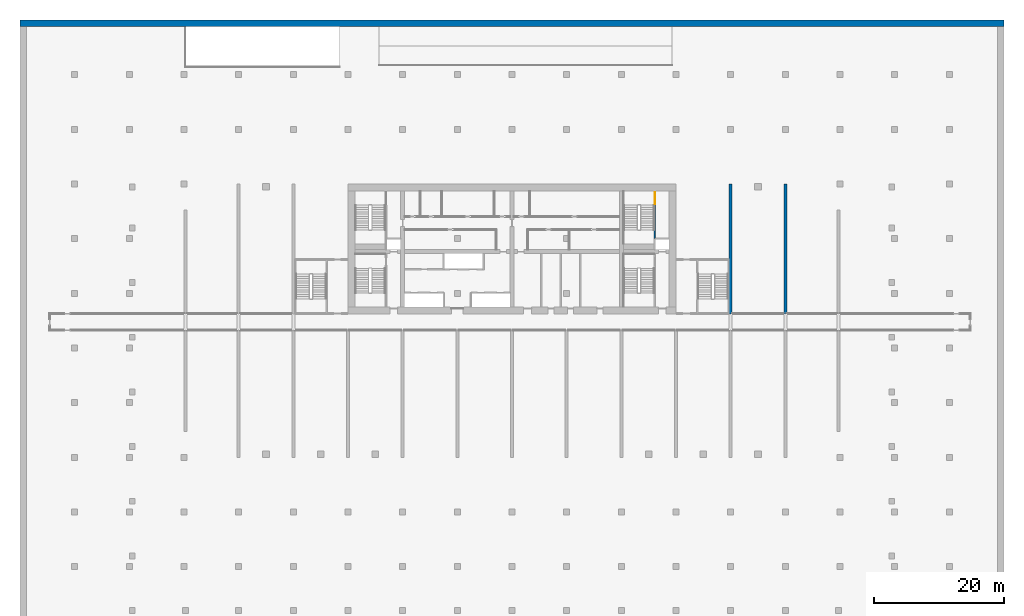
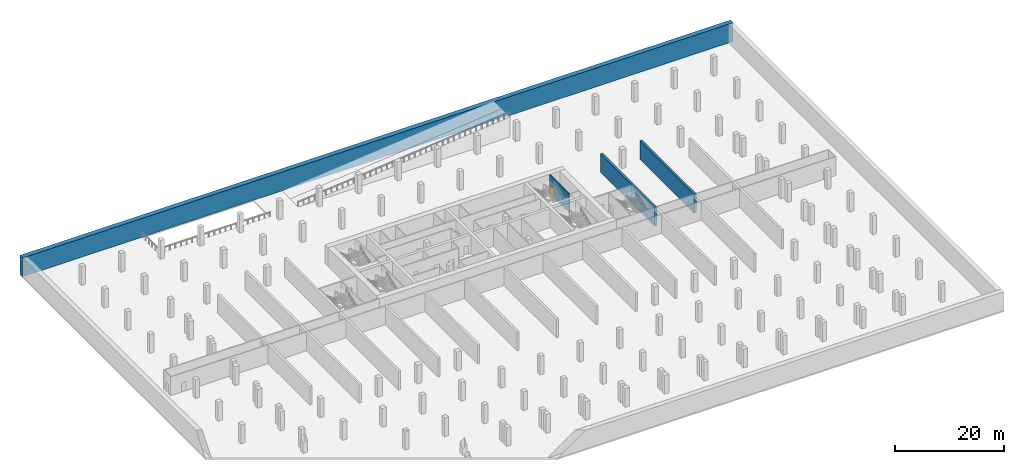
# One storey, part 8 of 13: 4 walls, 1 door, 1 opening.
"""IFC4 building model written with IfcOpenShell, lengths in metres."""

from ifc_helpers import new_model, si_unit, direction, frame, frame_2d, origin, place, context, subcontext, project, spatial, rectangle, extrude, source, transform, mapped, material, layer, layer_set, type_object, element, fill, save


model = new_model("IFC4")

# Units and contexts
model_context = context("Model", 3, precision=1e-05, world=origin(), true_north=direction((0.0, 1.0)))
body_context = subcontext(model_context, "Body", "Model", "MODEL_VIEW")
ifc_project = project(units=[si_unit("LENGTHUNIT", "METRE"), si_unit("AREAUNIT", "SQUARE_METRE"), si_unit("VOLUMEUNIT", "CUBIC_METRE"), si_unit("PLANEANGLEUNIT", "RADIAN"), si_unit("MASSUNIT", "GRAM", prefix="KILO")], contexts=[model_context])

# Site, building, storey
site_placement = place(None, origin())
site = spatial("IfcSite", under=ifc_project, at=site_placement, CompositionType="ELEMENT")
building_placement = place(site_placement, origin())
building = spatial("IfcBuilding", under=site, at=building_placement, Name="Vanashikhar Sky Hotel", CompositionType="ELEMENT")
storey_placement = place(building_placement, frame((0.0, 0.0, -9.0)))
storey = spatial("IfcBuildingStorey", under=building, at=storey_placement, Name="B2", CompositionType="ELEMENT", Elevation=-9.0)

# Walls
ifc_material_1 = material(Name="Concrete M50", Category="concrete")
ifc_layer_1 = layer(ifc_material_1, 1.0)
ifc_layer_set_1 = layer_set([ifc_layer_1], Name="RC retaining wall 1000 Concrete M50")
wall_type_1 = type_object("IfcWallType", Name="RC retaining wall 1000 Concrete M50", PredefinedType="SHEAR", material=ifc_layer_set_1)
shared_shape_1 = source(origin(), body_context, "Body", "SweptSolid", [
    extrude(rectangle(XDim=151.199951171875, YDim=1.0, at=frame_2d((75.60009765625, 0.0))), origin(), (0.0, 0.0, 1.0), 4.219970703125),
])
wall_1_placement = place(storey_placement, frame((-25.199951171875, 66.699951171875, 0.0), z_axis=(0.0, 0.0, 1.0), x_axis=(1.0, 0.0, 0.0)))
element("IfcWall", 1, at=wall_1_placement, inside=storey, type_object=wall_type_1, Name="RW-B2-N", PredefinedType="SHEAR", context=body_context, shape_type="MappedRepresentation", body=[
    mapped(shared_shape_1, transform((0.0, 0.0, 0.0), scale=1.0)),
])
ifc_material_2 = material(Name="Concrete M80", Category="concrete")
ifc_layer_2 = layer(ifc_material_2, 0.449951171875)
ifc_layer_set_2 = layer_set([ifc_layer_2], Name="RC shear wall 450 Concrete M80")
wall_type_2 = type_object("IfcWallType", Name="RC shear wall 450 Concrete M80", PredefinedType="SHEAR", material=ifc_layer_set_2)
shared_shape_2 = source(origin(), body_context, "Body", "SweptSolid", [
    extrude(rectangle(XDim=20.0, YDim=0.449951171875, at=frame_2d((10.0, 0.0))), origin(), (0.0, 0.0, 1.0), 4.219970703125),
])
for number, where, z_axis, x_axis, name in (
    (2, (84.0, 22.0, 0.0), (0.0, 0.0, 1.0), (0.0, 1.0, 0.0), "CW-B2-XW11-2"),
    (3, (92.39990234375, 22.0, 0.0), (0.0, 0.0, 1.0), (0.0, 1.0, 0.0), "CW-B2-XW12-2"),
):
    element("IfcWall", number, at=place(storey_placement, frame(where, z_axis=z_axis, x_axis=x_axis)), inside=storey, type_object=wall_type_2, Name=name, PredefinedType="SHEAR", context=body_context, shape_type="MappedRepresentation", body=[
        mapped(shared_shape_2, transform((0.0, 0.0, 0.0), scale=1.0)),
    ])

# Wall, opening, door
ifc_layer_3 = layer(ifc_material_1, 0.199951171875)
ifc_layer_set_3 = layer_set([ifc_layer_3], Name="Stair wall 200")
wall_type_3 = type_object("IfcWallType", Name="Stair wall 200", PredefinedType="SOLIDWALL", material=ifc_layer_set_3)
shared_shape_3 = source(origin(), body_context, "Body", "SweptSolid", [
    extrude(rectangle(XDim=7.2998046875, YDim=0.199951171875, at=frame_2d((3.64990234375, 0.0))), origin(), (0.0, 0.0, 1.0), 4.219970703125),
])
wall_2_placement = place(storey_placement, frame((72.35009765625, 33.60009765625, 0.0), z_axis=(0.0, 0.0, 1.0), x_axis=(0.0, 1.0, 0.0)))
wall_2 = element("IfcWall", 4, at=wall_2_placement, inside=storey, type_object=wall_type_3, Name="Stair wall 200", PredefinedType="SOLIDWALL", context=body_context, shape_type="MappedRepresentation", body=[
    mapped(shared_shape_3, transform((0.0, 0.0, 0.0), scale=1.0)),
])
shared_shape_4 = source(origin(), body_context, "Body", "SweptSolid", [
    extrude(rectangle(XDim=1.800048828125, YDim=2.10009765625, at=frame_2d((0.89990234375, 1.050048828125))), frame((0.0, 0.10986328125, 0.0), z_axis=(0.0, -1.0, 0.0), x_axis=(1.0, 0.0, 0.0)), (0.0, 0.0, 1.0), 0.219970703125),
])
opening_placement = place(wall_2_placement, frame((5.300048828125, 0.0, 0.0)))
opening = element("IfcOpeningElement", 5, at=opening_placement, cuts=wall_2, Name="Opening DC-1-A", PredefinedType="OPENING", context=body_context, shape_type="MappedRepresentation", body=[
    mapped(shared_shape_4, transform((0.0, 0.0, 0.0), scale=1.0)),
])
ifc_material_3 = material(Name="Steel", Category="steel")
door_type = type_object("IfcDoorType", Name="Stair door 1800 FD120", OperationType="NOTDEFINED", PredefinedType="DOOR", material=ifc_material_3)
shared_shape_5 = source(origin(), body_context, "Body", "SweptSolid", [
    extrude(rectangle(XDim=1.800048828125, YDim=2.10009765625, at=frame_2d((0.89990234375, 1.050048828125))), frame((0.0, 0.02490234375, 0.0), z_axis=(0.0, -1.0, 0.0), x_axis=(1.0, 0.0, 0.0)), (0.0, 0.0, 1.0), 0.050048828125),
])
door_placement = place(opening_placement, origin())
door = element("IfcDoor", 6, at=door_placement, inside=storey, type_object=door_type, Name="Stair door 1800 FD120", OperationType="SINGLE_SWING_LEFT", OverallHeight=2.10009765625, OverallWidth=1.800048828125, PredefinedType="DOOR", context=body_context, shape_type="MappedRepresentation", body=[
    mapped(shared_shape_5, transform((0.0, 0.0, 0.0), scale=1.0)),
])
fill(opening, door)

save(model, "model.ifc")
